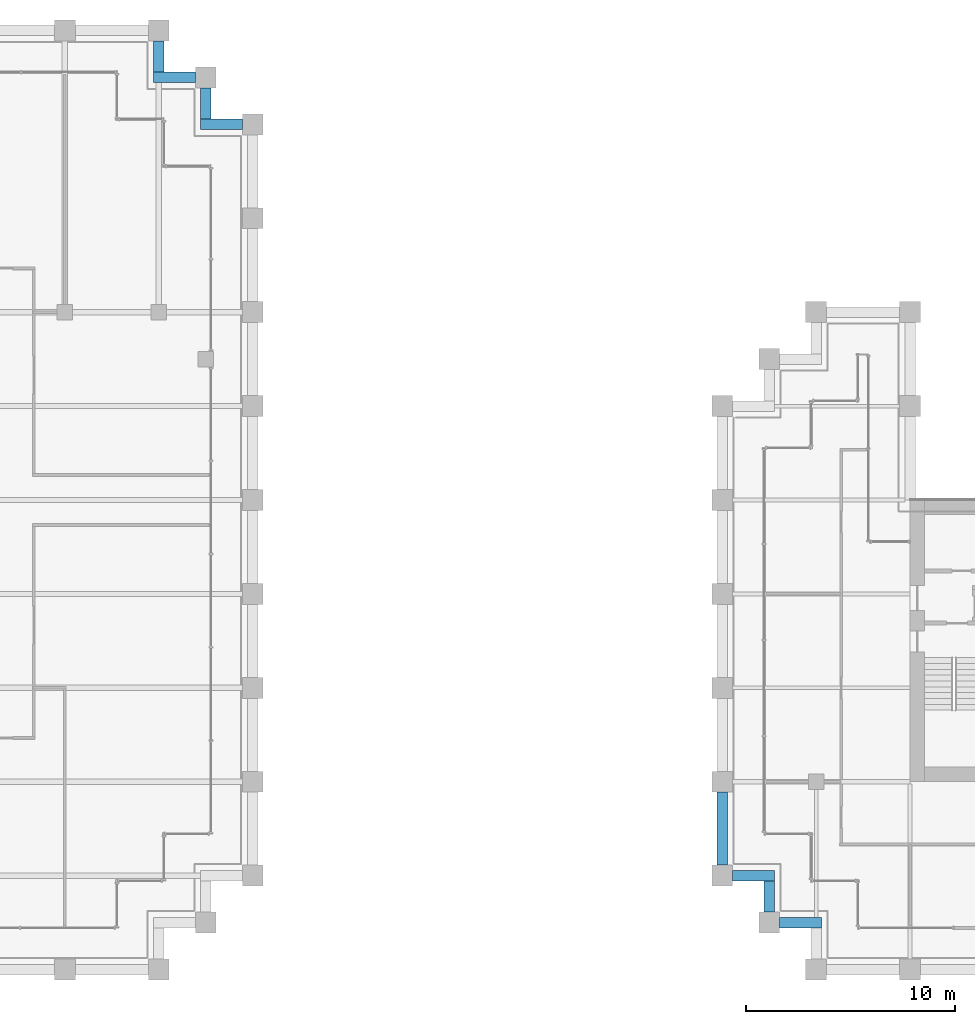
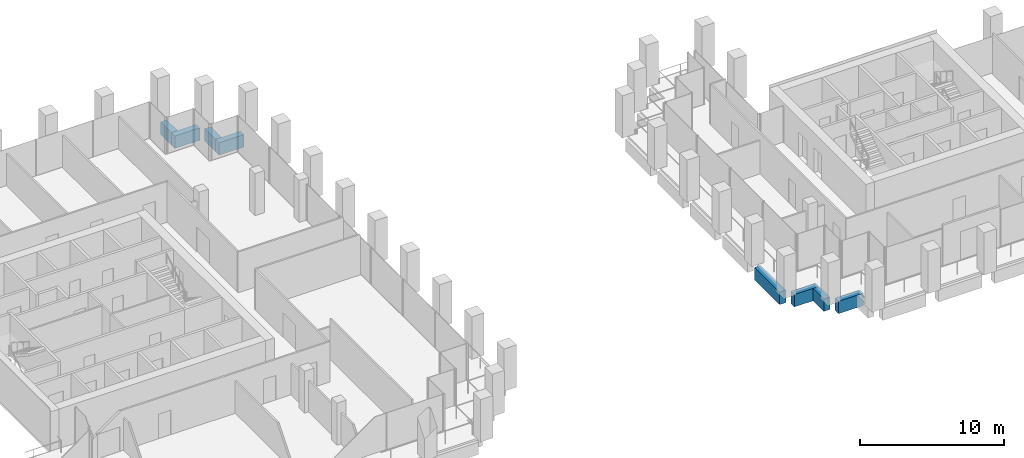
# One storey, part 27 of 46: 8 beams.
"""IFC4 building model written with IfcOpenShell, lengths in metres."""

from ifc_helpers import new_model, si_unit, direction, frame, origin, origin_2d, place, context, subcontext, project, spatial, rectangle, extrude, material, material_profile, profile_set, type_object, element, save


model = new_model("IFC4")

# Units and contexts
model_context = context("Model", 3, precision=1e-05, world=origin(), true_north=direction((0.0, 1.0)))
body_context = subcontext(model_context, "Body", "Model", "MODEL_VIEW")
ifc_project = project(units=[si_unit("LENGTHUNIT", "METRE"), si_unit("AREAUNIT", "SQUARE_METRE"), si_unit("VOLUMEUNIT", "CUBIC_METRE"), si_unit("PLANEANGLEUNIT", "RADIAN"), si_unit("MASSUNIT", "GRAM", prefix="KILO")], contexts=[model_context])

# Site, building, storey
site_placement = place(None, origin())
site = spatial("IfcSite", under=ifc_project, at=site_placement, CompositionType="ELEMENT")
building_placement = place(site_placement, origin())
building = spatial("IfcBuilding", under=site, at=building_placement, Name="Altepetl Exchange Towers", CompositionType="ELEMENT")
storey_placement = place(building_placement, frame((0.0, 0.0, 120.800048828125)))
storey = spatial("IfcBuildingStorey", under=building, at=storey_placement, Name="L29", CompositionType="ELEMENT", Elevation=120.800048828125)

# Beams
ifc_material_1 = material(Name="Concrete C50/60 precast with cantera rosa facing", Category="concrete")
ifc_material_profile_1 = material_profile(ifc_material_1, rectangle(XDim=0.5, YDim=1.050048828125, at=origin_2d()), Name="500 x 1050")
ifc_profile_set_1 = profile_set([ifc_material_profile_1], Name="Concrete C50/60 precast with cantera rosa facing")
beam_type_1 = type_object("IfcBeamType", Name="Spandrel beam 500x1050 cantera rosa", PredefinedType="SPANDREL", material=ifc_profile_set_1)
beam_1_placement = place(storey_placement, frame((71.5, 67.5, -0.675048828125), z_axis=(-1.0, 0.0, 0.0), x_axis=(0.0, -1.0, 0.0)))
element("IfcBeam", 1, at=beam_1_placement, inside=storey, type_object=beam_type_1, Name="sp:A:L29:020", PredefinedType="SPANDREL", context=body_context, shape_type="SweptSolid", body=[
    extrude(rectangle(XDim=0.5, YDim=1.050048828125, at=origin_2d()), origin(), (0.0, 0.0, 1.0), 2.0),
])
beam_2_placement = place(storey_placement, frame((69.75, 67.75, -0.675048828125), z_axis=(0.0, 1.0, 0.0), x_axis=(-1.0, 0.0, 0.0)))
element("IfcBeam", 2, at=beam_2_placement, inside=storey, type_object=beam_type_1, Name="sp:A:L29:021", PredefinedType="SPANDREL", context=body_context, shape_type="SweptSolid", body=[
    extrude(rectangle(XDim=0.5, YDim=1.050048828125, at=origin_2d()), origin(), (0.0, 0.0, 1.0), 1.5),
])
beam_3_placement = place(storey_placement, frame((69.25, 69.75, -0.675048828125), z_axis=(-1.0, 0.0, 0.0), x_axis=(0.0, -1.0, 0.0)))
element("IfcBeam", 3, at=beam_3_placement, inside=storey, type_object=beam_type_1, Name="sp:A:L29:022", PredefinedType="SPANDREL", context=body_context, shape_type="SweptSolid", body=[
    extrude(rectangle(XDim=0.5, YDim=1.050048828125, at=origin_2d()), origin(), (0.0, 0.0, 1.0), 2.0),
])
beam_4_placement = place(storey_placement, frame((67.5, 70.0, -0.675048828125), z_axis=(0.0, 1.0, 0.0), x_axis=(-1.0, 0.0, 0.0)))
element("IfcBeam", 4, at=beam_4_placement, inside=storey, type_object=beam_type_1, Name="sp:A:L29:023", PredefinedType="SPANDREL", context=body_context, shape_type="SweptSolid", body=[
    extrude(rectangle(XDim=0.5, YDim=1.050048828125, at=origin_2d()), origin(), (0.0, 0.0, 1.0), 1.5),
])
ifc_material_2 = material(Name="Concrete C50/60 precast with tezontle facing", Category="concrete")
ifc_material_profile_2 = material_profile(ifc_material_2, rectangle(XDim=0.5, YDim=1.050048828125, at=origin_2d()), Name="500 x 1050")
ifc_profile_set_2 = profile_set([ifc_material_profile_2], Name="Concrete C50/60 precast with tezontle facing")
beam_type_2 = type_object("IfcBeamType", Name="Spandrel beam 500x1050 tezontle", PredefinedType="SPANDREL", material=ifc_profile_set_2)
beam_5_placement = place(storey_placement, frame((94.5, 35.5, -0.675048828125), z_axis=(0.0, -1.0, 0.0), x_axis=(1.0, 0.0, 0.0)))
element("IfcBeam", 5, at=beam_5_placement, inside=storey, type_object=beam_type_2, Name="sp:B:L29:026", PredefinedType="SPANDREL", context=body_context, shape_type="SweptSolid", body=[
    extrude(rectangle(XDim=0.5, YDim=1.050048828125, at=origin_2d()), origin(), (0.0, 0.0, 1.0), 3.5),
])
beam_6_placement = place(storey_placement, frame((95.0, 31.5, -0.675048828125), z_axis=(1.0, 0.0, 0.0), x_axis=(0.0, 1.0, 0.0)))
element("IfcBeam", 6, at=beam_6_placement, inside=storey, type_object=beam_type_2, Name="sp:B:L29:027", PredefinedType="SPANDREL", context=body_context, shape_type="SweptSolid", body=[
    extrude(rectangle(XDim=0.5, YDim=1.050048828125, at=origin_2d()), origin(), (0.0, 0.0, 1.0), 2.0),
])
beam_7_placement = place(storey_placement, frame((96.75, 31.25, -0.675048828125), z_axis=(0.0, -1.0, 0.0), x_axis=(1.0, 0.0, 0.0)))
element("IfcBeam", 7, at=beam_7_placement, inside=storey, type_object=beam_type_2, Name="sp:B:L29:028", PredefinedType="SPANDREL", context=body_context, shape_type="SweptSolid", body=[
    extrude(rectangle(XDim=0.5, YDim=1.050048828125, at=origin_2d()), origin(), (0.0, 0.0, 1.0), 1.5),
])
beam_8_placement = place(storey_placement, frame((97.25, 29.25, -0.675048828125), z_axis=(1.0, 0.0, 0.0), x_axis=(0.0, 1.0, 0.0)))
element("IfcBeam", 8, at=beam_8_placement, inside=storey, type_object=beam_type_2, Name="sp:B:L29:029", PredefinedType="SPANDREL", context=body_context, shape_type="SweptSolid", body=[
    extrude(rectangle(XDim=0.5, YDim=1.050048828125, at=origin_2d()), origin(), (0.0, 0.0, 1.0), 2.0),
])

save(model, "model.ifc")
